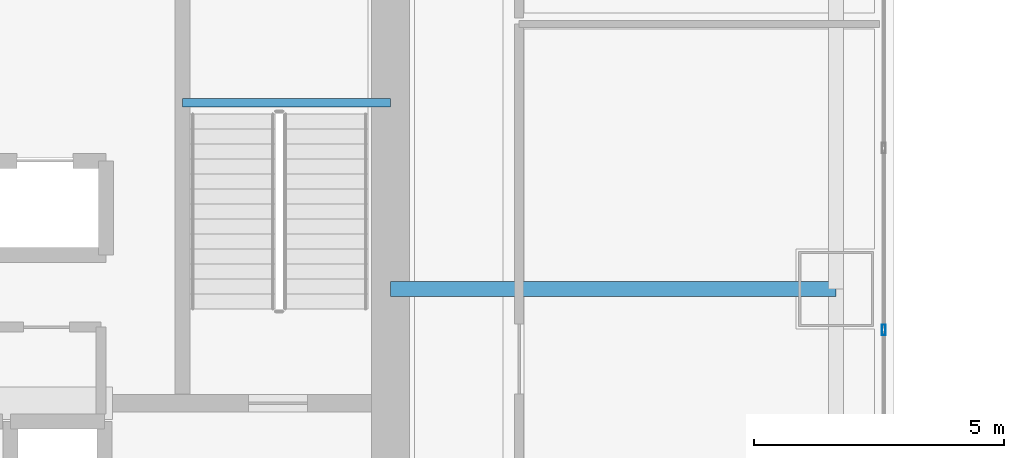
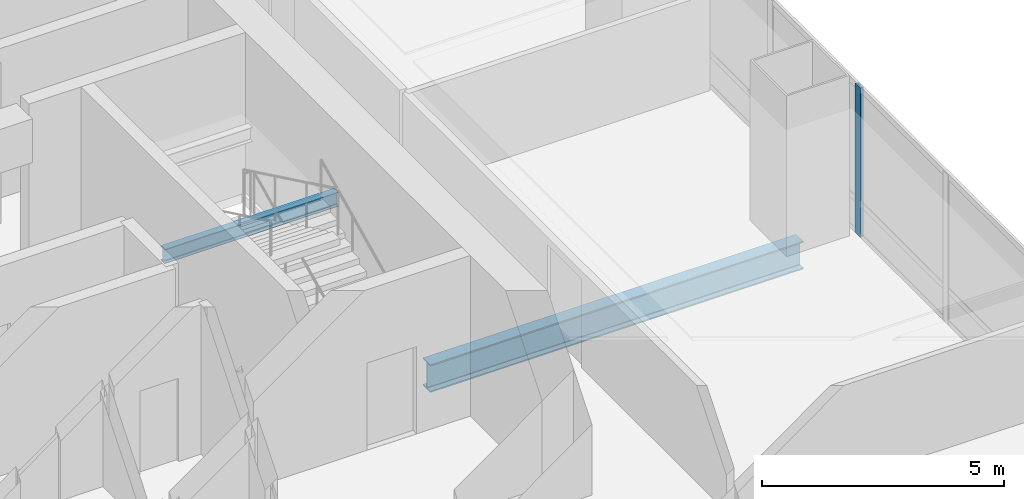
# One storey, part 14 of 45: 2 beams, 1 member, 1 element without a shape of its own.
"""IFC4 building model written with IfcOpenShell, lengths in metres."""

from ifc_helpers import new_model, si_unit, direction, frame, origin, origin_2d, place, context, subcontext, project, spatial, hollow_rectangle, i_section, extrude, material, material_profile, profile_set, type_object, element, aggregate, save


model = new_model("IFC4")

# Units and contexts
model_context = context("Model", 3, precision=1e-05, world=origin(), true_north=direction((0.0, 1.0)))
body_context = subcontext(model_context, "Body", "Model", "MODEL_VIEW")
ifc_project = project(units=[si_unit("LENGTHUNIT", "METRE"), si_unit("AREAUNIT", "SQUARE_METRE"), si_unit("VOLUMEUNIT", "CUBIC_METRE"), si_unit("PLANEANGLEUNIT", "RADIAN"), si_unit("MASSUNIT", "GRAM", prefix="KILO")], contexts=[model_context])

# Site, building, storey
site_placement = place(None, origin())
site = spatial("IfcSite", under=ifc_project, at=site_placement, CompositionType="ELEMENT")
building_placement = place(site_placement, origin())
building = spatial("IfcBuilding", under=site, at=building_placement, Name="Punatoya Terracotta Tower", CompositionType="ELEMENT")
storey_placement = place(building_placement, frame((0.0, 0.0, 56.550048828125)))
storey = spatial("IfcBuildingStorey", under=building, at=storey_placement, Name="L12", CompositionType="ELEMENT", Elevation=56.550048828125)

# Beams
ifc_material_1 = material(Name="Steel S355", Category="steel")
ifc_material_profile_1 = material_profile(ifc_material_1, i_section(OverallWidth=0.300048828125, OverallDepth=0.699951171875, WebThickness=0.01708984375, FlangeThickness=0.031982421875, FilletRadius=0.01806640625, at=origin_2d()))
ifc_profile_set_1 = profile_set([ifc_material_profile_1], Name="Steel S355")
beam_type_1 = type_object("IfcBeamType", Name="BM-PRI-700", PredefinedType="BEAM", material=ifc_profile_set_1)
beam_1_placement = place(storey_placement, frame((10.199951171875, -3.39990234375, -0.590087890625), z_axis=(1.0, 0.0, 0.0), x_axis=(0.0, 1.0, 0.0)))
element("IfcBeam", 1, at=beam_1_placement, inside=storey, type_object=beam_type_1, Name="BM-L12-PR-ED", PredefinedType="BEAM", context=body_context, shape_type="SweptSolid", body=[
    extrude(i_section(OverallWidth=0.300048828125, OverallDepth=0.699951171875, WebThickness=0.01708984375, FlangeThickness=0.031982421875, FilletRadius=0.01806640625, at=origin_2d()), origin(), (0.0, 0.0, 1.0), 8.900146484375),
])
ifc_material_profile_2 = material_profile(ifc_material_1, i_section(OverallWidth=0.169921875, OverallDepth=0.360107421875, WebThickness=0.008056640625, FlangeThickness=0.0126953125, FilletRadius=0.01806640625, at=origin_2d()))
ifc_profile_set_2 = profile_set([ifc_material_profile_2], Name="Steel S355")
beam_type_2 = type_object("IfcBeamType", Name="BM-SEC-360", PredefinedType="JOIST", material=ifc_profile_set_2)
beam_2_placement = place(storey_placement, frame((6.050048828125, 0.320068359375, 1.64501953125), z_axis=(1.0, 0.0, 0.0), x_axis=(0.0, 1.0, 0.0)))
element("IfcBeam", 2, at=beam_2_placement, inside=storey, type_object=beam_type_2, Name="BM-L12-ST-2-LD1A", PredefinedType="JOIST", context=body_context, shape_type="SweptSolid", body=[
    extrude(i_section(OverallWidth=0.169921875, OverallDepth=0.360107421875, WebThickness=0.008056640625, FlangeThickness=0.0126953125, FilletRadius=0.01806640625, at=origin_2d()), origin(), (0.0, 0.0, 1.0), 4.14990234375),
])

# Curtain wall, member
ifc_material_2 = material(Name="Aluminium 6063-T6 + Double Low-E Glass", Category="aluminium")
curtain_wall_type = type_object("IfcCurtainWallType", Name="CW-M1", PredefinedType="NOTDEFINED", material=ifc_material_2)
curtain_wall_placement = place(storey_placement, origin())
curtain_wall = element("IfcCurtainWall", 3, at=curtain_wall_placement, inside=storey, type_object=curtain_wall_type, Name="L12 Curtain Wall CW-L12-E05-1", PredefinedType="NOTDEFINED")
ifc_material_3 = material(Name="Aluminium 6063-T6", Category="aluminium")
ifc_material_profile_3 = material_profile(ifc_material_3, hollow_rectangle(XDim=0.074951171875, YDim=0.2099609375, WallThickness=0.00439453125, at=origin_2d()))
ifc_profile_set_3 = profile_set([ifc_material_profile_3], Name="Aluminium 6063-T6")
member_type = type_object("IfcMemberType", Name="CW-MUL-M1", PredefinedType="MULLION", material=ifc_profile_set_3)
member_placement = place(storey_placement, frame((20.050048828125, -4.21435546875, 0.0), z_axis=(0.0, 0.0, 1.0), x_axis=(1.0, 0.0, 0.0)))
member = element("IfcMember", 4, at=member_placement, type_object=member_type, Name="CW-L12-E05-1 Mullion 03", PredefinedType="MULLION", context=body_context, shape_type="SweptSolid", body=[
    extrude(hollow_rectangle(XDim=0.074951171875, YDim=0.2099609375, WallThickness=0.00439453125, at=origin_2d()), origin(), (0.0, 0.0, 1.0), 3.77001953125),
])
aggregate(curtain_wall, [member])

save(model, "model.ifc")
